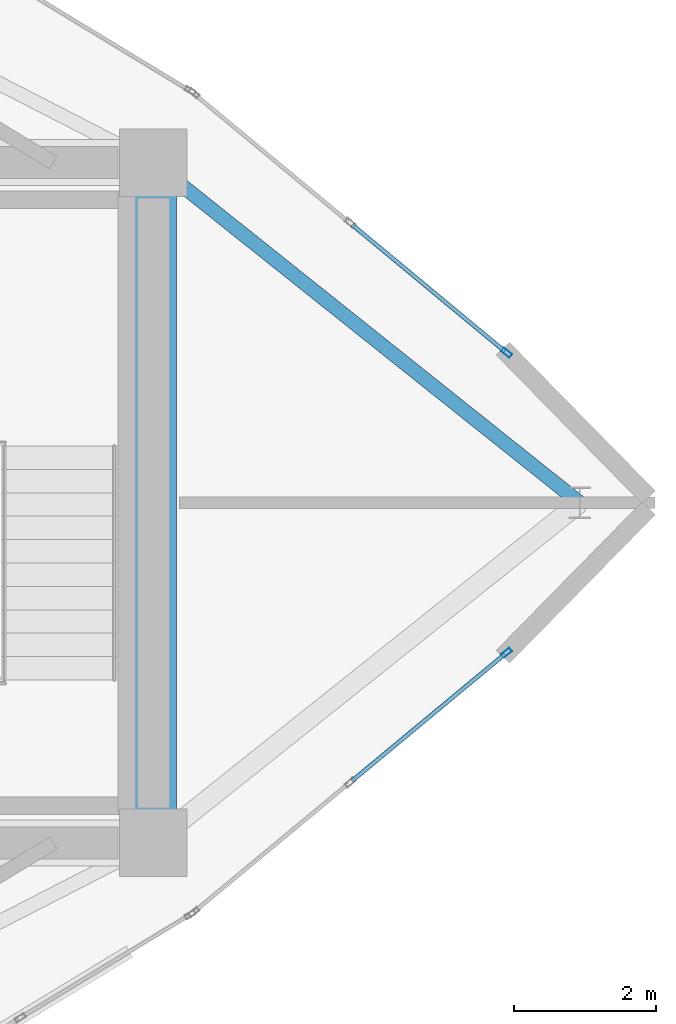
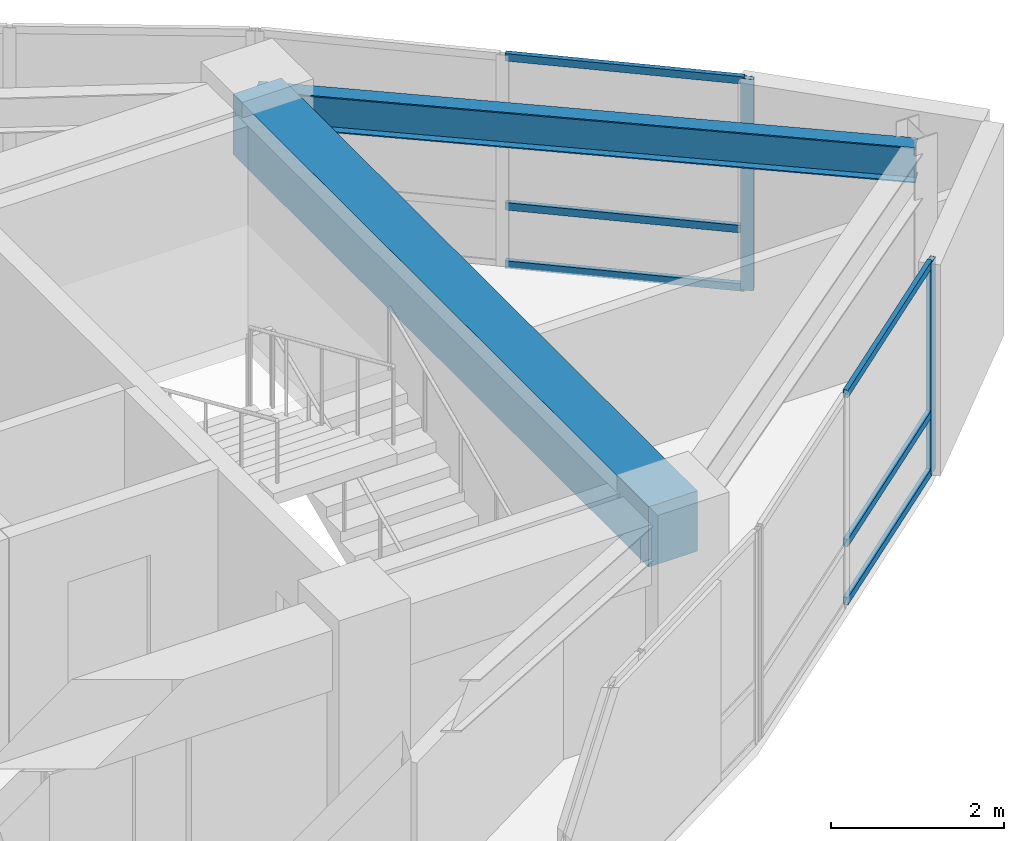
# One storey, part 6 of 14: 8 members, 2 beams, 2 elements without a shape of their own.
"""IFC4 building model written with IfcOpenShell, lengths in metres."""

from ifc_helpers import new_model, si_unit, direction, frame, origin, origin_2d, place, context, subcontext, project, spatial, rectangle, hollow_rectangle, i_section, extrude, material, layer, layer_set, material_profile, profile_set, type_object, element, aggregate, save


model = new_model("IFC4")

# Units and contexts
model_context = context("Model", 3, precision=1e-05, world=origin(), true_north=direction((0.0, 1.0)))
body_context = subcontext(model_context, "Body", "Model", "MODEL_VIEW")
ifc_project = project(units=[si_unit("LENGTHUNIT", "METRE"), si_unit("AREAUNIT", "SQUARE_METRE"), si_unit("VOLUMEUNIT", "CUBIC_METRE"), si_unit("PLANEANGLEUNIT", "RADIAN"), si_unit("MASSUNIT", "GRAM", prefix="KILO")], contexts=[model_context])

# Site, building, storey
site_placement = place(None, origin())
site = spatial("IfcSite", under=ifc_project, at=site_placement, CompositionType="ELEMENT")
building_placement = place(site_placement, origin())
building = spatial("IfcBuilding", under=site, at=building_placement, Name="Menara Vayukalpa", CompositionType="ELEMENT")
storey_placement = place(building_placement, frame((0.0, 0.0, 302.419921875)))
storey = spatial("IfcBuildingStorey", under=building, at=storey_placement, Name="L77", CompositionType="ELEMENT", Elevation=302.419921875)

# Beams
ifc_material_1 = material(Name="Concrete C60/75", Category="concrete")
ifc_material_profile_1 = material_profile(ifc_material_1, rectangle(XDim=0.64990234375, YDim=0.85009765625, at=origin_2d()), Name="RC 650x850")
ifc_profile_set_1 = profile_set([ifc_material_profile_1], Name="Concrete C60/75")
beam_type_1 = type_object("IfcBeamType", Name="BM-CB1", PredefinedType="BEAM", material=ifc_profile_set_1)
beam_1_placement = place(storey_placement, frame((33.39990234375, 17.199951171875, 2.55517578125), z_axis=(0.0, 1.0, 0.0), x_axis=(-1.0, 0.0, 0.0)))
element("IfcBeam", 1, at=beam_1_placement, inside=storey, type_object=beam_type_1, Name="L77 Core Tie Beam CBR8", PredefinedType="BEAM", context=body_context, shape_type="SweptSolid", body=[
    extrude(rectangle(XDim=0.64990234375, YDim=0.85009765625, at=origin_2d()), origin(), (0.0, 0.0, 1.0), 9.60009765625),
])
ifc_material_2 = material(Name="Steel S355", Category="steel")
ifc_material_profile_2 = material_profile(ifc_material_2, i_section(OverallWidth=0.199951171875, OverallDepth=0.5, WebThickness=0.010009765625, FlangeThickness=0.01611328125, at=origin_2d()), Name="WF 500x200x10x16")
ifc_profile_set_2 = profile_set([ifc_material_profile_2], Name="Steel S355")
beam_type_2 = type_object("IfcBeamType", Name="BM-SP3", PredefinedType="SPANDREL", material=ifc_profile_set_2)
beam_2_placement = place(storey_placement, frame((39.4189453125, 22.0, 2.72998046875), z_axis=(-0.781830074652, 0.6234915672, 0.0), x_axis=(-0.6234915672, -0.781830074652, 0.0)))
element("IfcBeam", 2, at=beam_2_placement, inside=storey, type_object=beam_type_2, Name="L77 Perimeter Spandrel Beam SP01", PredefinedType="SPANDREL", context=body_context, shape_type="SweptSolid", body=[
    extrude(i_section(OverallWidth=0.199951171875, OverallDepth=0.5, WebThickness=0.010009765625, FlangeThickness=0.01611328125, at=origin_2d()), origin(), (0.0, 0.0, 1.0), 7.69873046875),
])

# Curtain wall, member
ifc_material_3 = material(Name="Anodised Terracotta Aluminium Alloy 6063-T6", Category="masonry")
ifc_layer = layer(ifc_material_3, 0.14990234375)
ifc_layer_set = layer_set([ifc_layer], Name="Anodised Terracotta Aluminium Alloy 6063-T6")
curtain_wall_type = type_object("IfcCurtainWallType", Name="CW-CW7", PredefinedType="USERDEFINED", material=ifc_layer_set)
curtain_wall_1_placement = place(storey_placement, origin())
curtain_wall_1 = element("IfcCurtainWall", 3, at=curtain_wall_1_placement, inside=storey, type_object=curtain_wall_type, Name="L77 Crown Drum Screened Curtain Wall CW7 03", ObjectType="UNITISED", PredefinedType="USERDEFINED")
ifc_material_4 = material(Name="Anodised Terracotta Aluminium Alloy 6063-T6", Category="masonry")
ifc_material_profile_3 = material_profile(ifc_material_4, hollow_rectangle(XDim=0.06494140625, YDim=0.14990234375, WallThickness=0.00341796875, at=origin_2d()), Name="ALU 65x150x3.5")
ifc_profile_set_3 = profile_set([ifc_material_profile_3], Name="Anodised Terracotta Aluminium Alloy 6063-T6")
member_type_1 = type_object("IfcMemberType", Name="CWM-CW7", PredefinedType="MULLION", material=ifc_profile_set_3)
member_1_placement = place(storey_placement, frame((38.3857421875, 24.1171875, 0.0), z_axis=(0.0, 0.0, 1.0), x_axis=(-0.63834658997, -0.7697490702, 0.0)))
member_1 = element("IfcMember", 4, at=member_1_placement, type_object=member_type_1, Name="CW7 mullion 1", PredefinedType="MULLION", context=body_context, shape_type="SweptSolid", body=[
    extrude(hollow_rectangle(XDim=0.06494140625, YDim=0.14990234375, WallThickness=0.00341796875, at=origin_2d()), origin(), (0.0, 0.0, 1.0), 2.97998046875),
])

curtain_wall_2_placement = place(storey_placement, origin())
curtain_wall_2 = element("IfcCurtainWall", 5, at=curtain_wall_2_placement, inside=storey, type_object=curtain_wall_type, Name="L77 Crown Drum Screened Curtain Wall CW7 18", ObjectType="UNITISED", PredefinedType="USERDEFINED")
member_2_placement = place(storey_placement, frame((38.3857421875, 19.8828125, 0.0), z_axis=(0.0, 0.0, 1.0), x_axis=(-0.63834658997, 0.7697490702, 0.0)))
member_2 = element("IfcMember", 6, at=member_2_placement, type_object=member_type_1, Name="CW7 mullion 3", PredefinedType="MULLION", context=body_context, shape_type="SweptSolid", body=[
    extrude(hollow_rectangle(XDim=0.06494140625, YDim=0.14990234375, WallThickness=0.00341796875, at=origin_2d()), origin(), (0.0, 0.0, 1.0), 2.97998046875),
])

# Member
ifc_material_5 = material(Name="Anodised Terracotta Aluminium Alloy 6063-T6", Category="masonry")
ifc_material_profile_4 = material_profile(ifc_material_5, hollow_rectangle(XDim=0.06005859375, YDim=0.10498046875, WallThickness=0.0029296875, at=origin_2d()), Name="ALU 60x105x3")
ifc_profile_set_4 = profile_set([ifc_material_profile_4], Name="Anodised Terracotta Aluminium Alloy 6063-T6")
member_type_2 = type_object("IfcMemberType", Name="CWT-CW7", PredefinedType="USERDEFINED", material=ifc_profile_set_4)
member_3_placement = place(storey_placement, frame((38.360595703125, 24.137939453125, 0.030029296875), z_axis=(-0.769691097873, 0.638416489335, 0.0), x_axis=(-0.638416489335, -0.769691097873, 0.0)))
member_3 = element("IfcMember", 7, at=member_3_placement, type_object=member_type_2, Name="CW7 transom 1.1", ObjectType="TRANSOM", PredefinedType="USERDEFINED", context=body_context, shape_type="SweptSolid", body=[
    extrude(hollow_rectangle(XDim=0.06005859375, YDim=0.10498046875, WallThickness=0.0029296875, at=origin_2d()), origin(), (0.0, 0.0, 1.0), 2.80078125),
])

member_4_placement = place(storey_placement, frame((38.360595703125, 24.137939453125, 0.85009765625), z_axis=(-0.769691097873, 0.638416489335, 0.0), x_axis=(-0.638416489335, -0.769691097873, 0.0)))
member_4 = element("IfcMember", 8, at=member_4_placement, type_object=member_type_2, Name="CW7 transom 1.2", ObjectType="TRANSOM", PredefinedType="USERDEFINED", context=body_context, shape_type="SweptSolid", body=[
    extrude(hollow_rectangle(XDim=0.06005859375, YDim=0.10498046875, WallThickness=0.0029296875, at=origin_2d()), origin(), (0.0, 0.0, 1.0), 2.80078125),
])

member_5_placement = place(storey_placement, frame((38.360595703125, 24.137939453125, 2.9501953125), z_axis=(-0.769691097873, 0.638416489335, 0.0), x_axis=(-0.638416489335, -0.769691097873, 0.0)))
member_5 = element("IfcMember", 9, at=member_5_placement, type_object=member_type_2, Name="CW7 transom 1.3", ObjectType="TRANSOM", PredefinedType="USERDEFINED", context=body_context, shape_type="SweptSolid", body=[
    extrude(hollow_rectangle(XDim=0.06005859375, YDim=0.10498046875, WallThickness=0.0029296875, at=origin_2d()), origin(), (0.0, 0.0, 1.0), 2.80078125),
])

aggregate(curtain_wall_1, [member_1, member_3, member_4, member_5])

member_6_placement = place(storey_placement, frame((36.204833984375, 18.073974609375, 0.030029296875), z_axis=(0.769691097873, 0.638416489335, 0.0), x_axis=(-0.638416489335, 0.769691097873, 0.0)))
member_6 = element("IfcMember", 10, at=member_6_placement, type_object=member_type_2, Name="CW7 transom 2.1", ObjectType="TRANSOM", PredefinedType="USERDEFINED", context=body_context, shape_type="SweptSolid", body=[
    extrude(hollow_rectangle(XDim=0.06005859375, YDim=0.10498046875, WallThickness=0.0029296875, at=origin_2d()), origin(), (0.0, 0.0, 1.0), 2.80078125),
])

member_7_placement = place(storey_placement, frame((36.204833984375, 18.073974609375, 0.85009765625), z_axis=(0.769691097873, 0.638416489335, 0.0), x_axis=(-0.638416489335, 0.769691097873, 0.0)))
member_7 = element("IfcMember", 11, at=member_7_placement, type_object=member_type_2, Name="CW7 transom 2.2", ObjectType="TRANSOM", PredefinedType="USERDEFINED", context=body_context, shape_type="SweptSolid", body=[
    extrude(hollow_rectangle(XDim=0.06005859375, YDim=0.10498046875, WallThickness=0.0029296875, at=origin_2d()), origin(), (0.0, 0.0, 1.0), 2.80078125),
])

member_8_placement = place(storey_placement, frame((36.204833984375, 18.073974609375, 2.9501953125), z_axis=(0.769691097873, 0.638416489335, 0.0), x_axis=(-0.638416489335, 0.769691097873, 0.0)))
member_8 = element("IfcMember", 12, at=member_8_placement, type_object=member_type_2, Name="CW7 transom 2.3", ObjectType="TRANSOM", PredefinedType="USERDEFINED", context=body_context, shape_type="SweptSolid", body=[
    extrude(hollow_rectangle(XDim=0.06005859375, YDim=0.10498046875, WallThickness=0.0029296875, at=origin_2d()), origin(), (0.0, 0.0, 1.0), 2.80078125),
])

aggregate(curtain_wall_2, [member_2, member_6, member_7, member_8])

save(model, "model.ifc")
